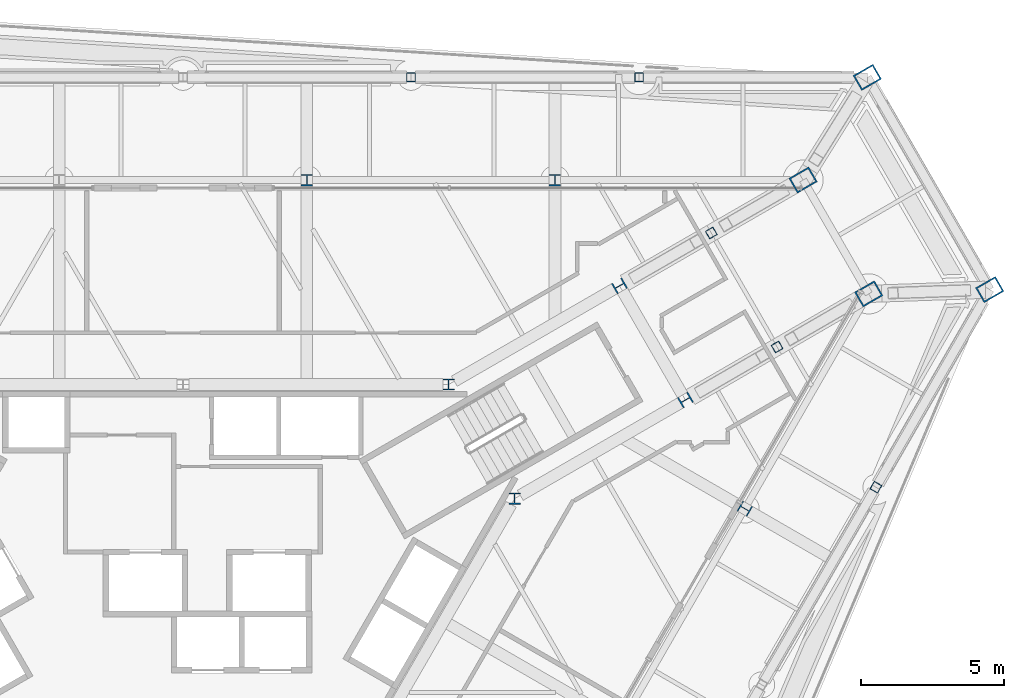
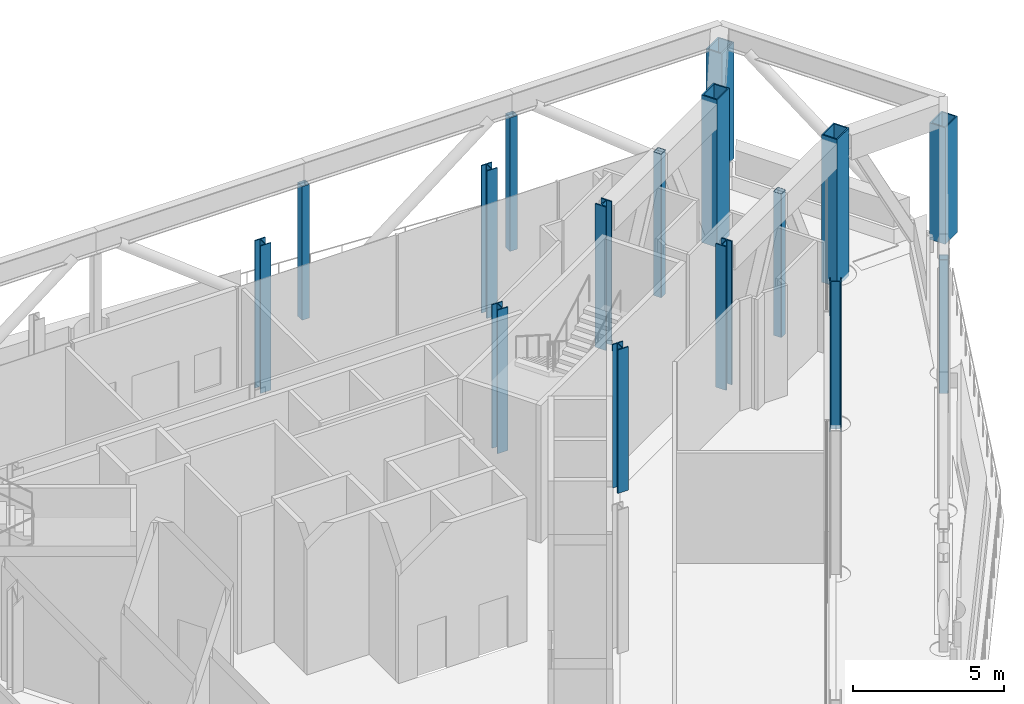
# One storey, part 4 of 24: 16 columns.
"""IFC4 building model written with IfcOpenShell, lengths in metres."""

from ifc_helpers import new_model, si_unit, direction, frame, origin, origin_2d, place, context, subcontext, project, spatial, hollow_rectangle, i_section, extrude, material, material_profile, profile_set, type_object, element, save


model = new_model("IFC4")

# Units and contexts
model_context = context("Model", 3, precision=1e-05, world=origin(), true_north=direction((0.0, 1.0)))
body_context = subcontext(model_context, "Body", "Model", "MODEL_VIEW")
ifc_project = project(units=[si_unit("LENGTHUNIT", "METRE"), si_unit("AREAUNIT", "SQUARE_METRE"), si_unit("VOLUMEUNIT", "CUBIC_METRE"), si_unit("PLANEANGLEUNIT", "RADIAN"), si_unit("MASSUNIT", "GRAM", prefix="KILO")], contexts=[model_context])

# Site, building, storey
site_placement = place(None, origin())
site = spatial("IfcSite", under=ifc_project, at=site_placement, CompositionType="ELEMENT")
building_placement = place(site_placement, origin())
building = spatial("IfcBuilding", under=site, at=building_placement, Name="Verrane Prism Tower", CompositionType="ELEMENT")
storey_placement = place(building_placement, frame((0.0, 0.0, 200.60009765625)))
storey = spatial("IfcBuildingStorey", under=building, at=storey_placement, Name="L50", CompositionType="ELEMENT", Elevation=200.60009765625)

# Columns
ifc_material_1 = material(Name="Steel A500 Grade C", Category="steel")
ifc_material_profile_1 = material_profile(ifc_material_1, hollow_rectangle(XDim=0.3046875, YDim=0.3046875, WallThickness=0.0126953125, InnerFilletRadius=0.00634765625, OuterFilletRadius=0.01904296875, at=origin_2d()), Name="HSS12x12x1/2")
ifc_profile_set_1 = profile_set([ifc_material_profile_1], Name="Steel A500 Grade C")
column_type_1 = type_object("IfcColumnType", Name="Belt truss post HSS12x12x1/2", PredefinedType="COLUMN", material=ifc_profile_set_1)
for number, where, z_axis, x_axis, name in (
    (1, (15.89990234375, 18.7099609375, -0.690185546875), (0.0, 0.0, 1.0), (1.0, 0.0, 0.0), "Belt truss post L50"),
    (2, (7.949951171875, 18.7099609375, -0.690185546875), (0.0, 0.0, 1.0), (1.0, 0.0, 0.0), "Belt truss post L50"),
    (3, (24.159912109375, 4.419921875, -0.690185546875), (0.0, 0.0, 1.0), (-0.5, -0.866025403784, 0.0), "Belt truss post L50"),
):
    element("IfcColumn", number, at=place(storey_placement, frame(where, z_axis=z_axis, x_axis=x_axis)), inside=storey, type_object=column_type_1, Name=name, PredefinedType="COLUMN", context=body_context, shape_type="SweptSolid", body=[
        extrude(hollow_rectangle(XDim=0.3046875, YDim=0.3046875, WallThickness=0.0126953125, InnerFilletRadius=0.00634765625, OuterFilletRadius=0.01904296875, at=origin_2d()), origin(), (0.0, 0.0, 1.0), 5.400146484375),
    ])
ifc_material_2 = material(Name="Steel A992", Category="steel")
ifc_material_profile_2 = material_profile(ifc_material_2, i_section(OverallWidth=0.406494140625, OverallDepth=0.41650390625, WebThickness=0.030029296875, FlangeThickness=0.048095703125, FilletRadius=0.01513671875, at=origin_2d()), Name="W14x257")
ifc_profile_set_2 = profile_set([ifc_material_profile_2], Name="Steel A992")
column_type_2 = type_object("IfcColumnType", Name="Core corner column W14x257", PredefinedType="COLUMN", material=ifc_profile_set_2)
for number, where, z_axis, x_axis, name in (
    (4, (17.52001953125, 7.4599609375, 0.0), (0.0, 0.0, 1.0), (0.5, -0.866025403784, 0.0), "Core corner column CK-NEm L50"),
    (5, (15.219970703125, 11.43994140625, 0.0), (0.0, 0.0, 1.0), (0.5, -0.866025403784, 0.0), "Core corner column CK-NEp L50"),
):
    element("IfcColumn", number, at=place(storey_placement, frame(where, z_axis=z_axis, x_axis=x_axis)), inside=storey, type_object=column_type_2, Name=name, PredefinedType="COLUMN", context=body_context, shape_type="SweptSolid", body=[
        extrude(i_section(OverallWidth=0.406494140625, OverallDepth=0.41650390625, WebThickness=0.030029296875, FlangeThickness=0.048095703125, FilletRadius=0.01513671875, at=origin_2d()), origin(), (0.0, 0.0, 1.0), 5.7998046875),
    ])
ifc_material_3 = material(Name="Steel A992", Category="steel")
ifc_material_profile_3 = material_profile(ifc_material_3, i_section(OverallWidth=0.4013671875, OverallDepth=0.398681640625, WebThickness=0.02490234375, FlangeThickness=0.03955078125, FilletRadius=0.01513671875, at=origin_2d()), Name="W14x211")
ifc_profile_set_3 = profile_set([ifc_material_profile_3], Name="Steel A992")
column_type_3 = type_object("IfcColumnType", Name="Core side column W14x211", PredefinedType="COLUMN", material=ifc_profile_set_3)
for number, where, z_axis, x_axis, name in (
    (6, (11.56005859375, 4.02001953125, 0.0), (0.0, 0.0, 1.0), (1.0, 0.0, 0.0), "Core side column CC-NEm L50"),
    (7, (9.260009765625, 8.0, 0.0), (0.0, 0.0, 1.0), (1.0, 0.0, 0.0), "Core side column CC-NEp L50"),
):
    element("IfcColumn", number, at=place(storey_placement, frame(where, z_axis=z_axis, x_axis=x_axis)), inside=storey, type_object=column_type_3, Name=name, PredefinedType="COLUMN", context=body_context, shape_type="SweptSolid", body=[
        extrude(i_section(OverallWidth=0.4013671875, OverallDepth=0.398681640625, WebThickness=0.02490234375, FlangeThickness=0.03955078125, FilletRadius=0.01513671875, at=origin_2d()), origin(), (0.0, 0.0, 1.0), 5.7998046875),
    ])
ifc_material_4 = material(Name="Steel A572 Grade 50", Category="steel")
ifc_material_profile_4 = material_profile(ifc_material_4, hollow_rectangle(XDim=0.60009765625, YDim=0.800048828125, WallThickness=0.050048828125, at=origin_2d()), Name="BOX 800x600x50")
ifc_profile_set_4 = profile_set([ifc_material_profile_4], Name="Steel A572 Grade 50")
column_type_4 = type_object("IfcColumnType", Name="Megacolumn BOX 800x600x50", PredefinedType="COLUMN", material=ifc_profile_set_4)
column_1_placement = place(storey_placement, frame((23.860107421875, 18.7099609375, 0.0), z_axis=(0.0, 0.0, 1.0), x_axis=(0.5, -0.866025403784, 0.0)))
element("IfcColumn", 8, at=column_1_placement, inside=storey, type_object=column_type_4, Name="Megacolumn MC-NE.b@out L50", PredefinedType="COLUMN", context=body_context, shape_type="SweptSolid", body=[
    extrude(hollow_rectangle(XDim=0.60009765625, YDim=0.800048828125, WallThickness=0.050048828125, at=origin_2d()), origin(), (0.0, 0.0, 1.0), 4.7099609375),
])
column_2_placement = place(storey_placement, frame((21.6201171875, 15.1298828125, -0.16015625), z_axis=(0.0, 0.0, 1.0), x_axis=(0.5, -0.866025403784, 0.0)))
element("IfcColumn", 9, at=column_2_placement, inside=storey, type_object=column_type_4, Name="Megacolumn MC-NE.b L50", PredefinedType="COLUMN", context=body_context, shape_type="SweptSolid", body=[
    extrude(hollow_rectangle(XDim=0.60009765625, YDim=0.800048828125, WallThickness=0.050048828125, at=origin_2d()), origin(), (0.0, 0.0, 1.0), 5.9599609375),
])
column_3_placement = place(storey_placement, frame((28.1298828125, 11.31005859375, 0.0), z_axis=(0.0, 0.0, 1.0), x_axis=(0.5, -0.866025403784, 0.0)))
element("IfcColumn", 10, at=column_3_placement, inside=storey, type_object=column_type_4, Name="Megacolumn MC-NE.a@out L50", PredefinedType="COLUMN", context=body_context, shape_type="SweptSolid", body=[
    extrude(hollow_rectangle(XDim=0.60009765625, YDim=0.800048828125, WallThickness=0.050048828125, at=origin_2d()), origin(), (0.0, 0.0, 1.0), 4.7099609375),
])
column_4_placement = place(storey_placement, frame((23.909912109375, 11.159912109375, -0.16015625), z_axis=(0.0, 0.0, 1.0), x_axis=(0.5, -0.866025403784, 0.0)))
element("IfcColumn", 11, at=column_4_placement, inside=storey, type_object=column_type_4, Name="Megacolumn MC-NE.a L50", PredefinedType="COLUMN", context=body_context, shape_type="SweptSolid", body=[
    extrude(hollow_rectangle(XDim=0.60009765625, YDim=0.800048828125, WallThickness=0.050048828125, at=origin_2d()), origin(), (0.0, 0.0, 1.0), 5.9599609375),
])
ifc_material_5 = material(Name="Steel A500 Grade C", Category="steel")
ifc_material_profile_5 = material_profile(ifc_material_5, hollow_rectangle(XDim=0.3046875, YDim=0.3046875, WallThickness=0.0126953125, InnerFilletRadius=0.00634765625, OuterFilletRadius=0.01904296875, at=origin_2d()), Name="HSS12x12x1/2")
ifc_profile_set_5 = profile_set([ifc_material_profile_5], Name="Steel A500 Grade C")
column_type_5 = type_object("IfcColumnType", Name="Outrigger truss post HSS12x12x1/2", PredefinedType="COLUMN", material=ifc_profile_set_5)
for number, where, z_axis, x_axis, name in (
    (12, (20.715087890625, 9.31005859375, -0.16015625), (0.0, 0.0, 1.0), (-0.501089394949, 0.865395527068, 0.0), "Outrigger truss post L50"),
    (13, (18.419921875, 13.284912109375, -0.16015625), (0.0, 0.0, 1.0), (-0.499487514192, 0.866321085491, 0.0), "Outrigger truss post L50"),
):
    element("IfcColumn", number, at=place(storey_placement, frame(where, z_axis=z_axis, x_axis=x_axis)), inside=storey, type_object=column_type_5, Name=name, PredefinedType="COLUMN", context=body_context, shape_type="SweptSolid", body=[
        extrude(hollow_rectangle(XDim=0.3046875, YDim=0.3046875, WallThickness=0.0126953125, InnerFilletRadius=0.00634765625, OuterFilletRadius=0.01904296875, at=origin_2d()), origin(), (0.0, 0.0, 1.0), 5.800048828125),
    ])
ifc_material_6 = material(Name="Steel A992", Category="steel")
ifc_material_profile_6 = material_profile(ifc_material_6, i_section(OverallWidth=0.4013671875, OverallDepth=0.398681640625, WebThickness=0.02490234375, FlangeThickness=0.03955078125, FilletRadius=0.01513671875, at=origin_2d()), Name="W14x211")
ifc_profile_set_6 = profile_set([ifc_material_profile_6], Name="Steel A992")
column_type_6 = type_object("IfcColumnType", Name="Perimeter column W14x211", PredefinedType="COLUMN", material=ifc_profile_set_6)
for number, where, z_axis, x_axis, name in (
    (14, (12.969970703125, 15.1298828125, -0.16015625), (0.0, 0.0, 1.0), (1.0, 0.0, 0.0), "Perimeter column PC-N1 L50"),
    (15, (4.320068359375, 15.1298828125, -0.16015625), (0.0, 0.0, 1.0), (1.0, 0.0, 0.0), "Perimeter column PC-N2 L50"),
    (16, (19.590087890625, 3.669921875, -0.16015625), (0.0, 0.0, 1.0), (-0.5, -0.866025403784, 0.0), "Perimeter column PC-SE4 L50"),
):
    element("IfcColumn", number, at=place(storey_placement, frame(where, z_axis=z_axis, x_axis=x_axis)), inside=storey, type_object=column_type_6, Name=name, PredefinedType="COLUMN", context=body_context, shape_type="SweptSolid", body=[
        extrude(i_section(OverallWidth=0.4013671875, OverallDepth=0.398681640625, WebThickness=0.02490234375, FlangeThickness=0.03955078125, FilletRadius=0.01513671875, at=origin_2d()), origin(), (0.0, 0.0, 1.0), 5.9599609375),
    ])

save(model, "model.ifc")
